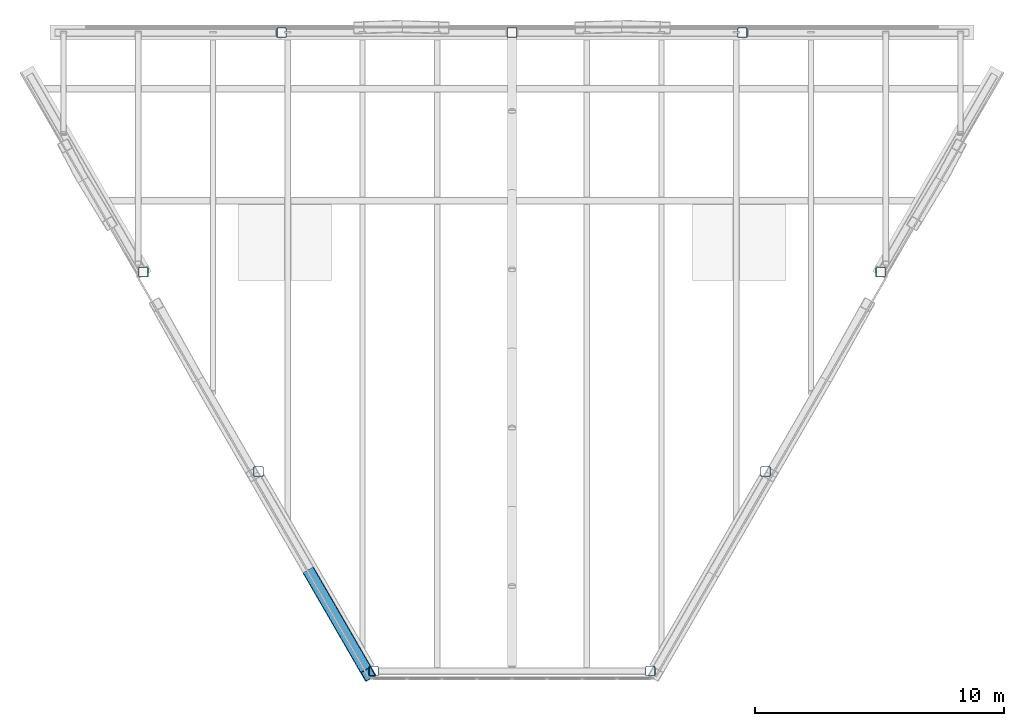
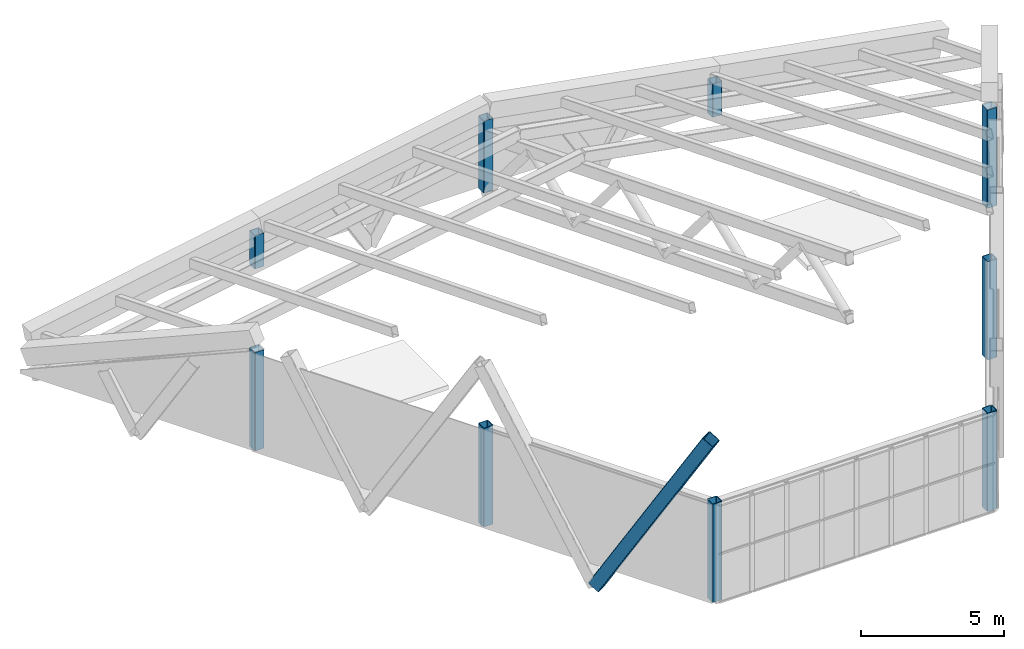
# One storey, part 1 of 6: 9 columns, 1 member.
"""IFC4 building model written with IfcOpenShell, lengths in metres."""

from ifc_helpers import new_model, si_unit, direction, frame, origin, origin_2d, place, context, subcontext, project, spatial, hollow_rectangle, extrude, material, material_profile, profile_set, type_object, element, save


model = new_model("IFC4")

# Units and contexts
model_context = context("Model", 3, precision=1e-05, world=origin(), true_north=direction((0.0, 1.0)))
body_context = subcontext(model_context, "Body", "Model", "MODEL_VIEW")
ifc_project = project(units=[si_unit("LENGTHUNIT", "METRE"), si_unit("AREAUNIT", "SQUARE_METRE"), si_unit("VOLUMEUNIT", "CUBIC_METRE"), si_unit("PLANEANGLEUNIT", "RADIAN"), si_unit("MASSUNIT", "GRAM", prefix="KILO")], contexts=[model_context])

# Site, building, storey
site_placement = place(None, origin())
site = spatial("IfcSite", under=ifc_project, at=site_placement, CompositionType="ELEMENT")
building_placement = place(site_placement, origin())
building = spatial("IfcBuilding", under=site, at=building_placement, Name="Aloe Facet Convention Tower", CompositionType="ELEMENT")
storey_placement = place(building_placement, frame((0.0, 0.0, 293.89990234375)))
storey = spatial("IfcBuildingStorey", under=building, at=storey_placement, Name="C3", CompositionType="ELEMENT", Elevation=293.89990234375)

# Columns
ifc_material_1 = material(Name="Steel S355, bronze oxide finish", Category="steel")
ifc_material_profile_1 = material_profile(ifc_material_1, hollow_rectangle(XDim=0.39990234375, YDim=0.39990234375, WallThickness=0.02490234375, InnerFilletRadius=0.02490234375, OuterFilletRadius=0.050048828125, at=origin_2d()), Name="SHS 400x400x25")
ifc_profile_set_1 = profile_set([ifc_material_profile_1], Name="Steel S355, bronze oxide finish")
column_type = type_object("IfcColumnType", Name="STW-CROWN FRAME POST", PredefinedType="COLUMN", material=ifc_profile_set_1)
column_1_placement = place(storey_placement, frame((89.2431640625, 134.800048828125, 0.0), z_axis=(0.0, 0.0, 1.0), x_axis=(1.0, 0.0, 0.0)))
element("IfcColumn", 1, at=column_1_placement, inside=storey, type_object=column_type, Name="Crown frame post CF-P-N2-C3", PredefinedType="COLUMN", context=body_context, shape_type="SweptSolid", body=[
    extrude(hollow_rectangle(XDim=0.39990234375, YDim=0.39990234375, WallThickness=0.02490234375, InnerFilletRadius=0.02490234375, OuterFilletRadius=0.050048828125, at=origin_2d()), origin(), (0.0, 0.0, 1.0), 1.416015625),
])
column_2_placement = place(storey_placement, frame((80.0, 134.800048828125, 0.0), z_axis=(0.0, 0.0, 1.0), x_axis=(1.0, 0.0, 0.0)))
element("IfcColumn", 2, at=column_2_placement, inside=storey, type_object=column_type, Name="Crown frame post CF-P-N3-C3", PredefinedType="COLUMN", context=body_context, shape_type="SweptSolid", body=[
    extrude(hollow_rectangle(XDim=0.39990234375, YDim=0.39990234375, WallThickness=0.02490234375, InnerFilletRadius=0.02490234375, OuterFilletRadius=0.050048828125, at=origin_2d()), origin(), (0.0, 0.0, 1.0), 3.07958984375),
])
column_3_placement = place(storey_placement, frame((70.7568359375, 134.800048828125, 0.0), z_axis=(0.0, 0.0, 1.0), x_axis=(1.0, 0.0, 0.0)))
element("IfcColumn", 3, at=column_3_placement, inside=storey, type_object=column_type, Name="Crown frame post CF-P-N4-C3", PredefinedType="COLUMN", context=body_context, shape_type="SweptSolid", body=[
    extrude(hollow_rectangle(XDim=0.39990234375, YDim=0.39990234375, WallThickness=0.02490234375, InnerFilletRadius=0.02490234375, OuterFilletRadius=0.050048828125, at=origin_2d()), origin(), (0.0, 0.0, 1.0), 1.416015625),
])
for number, where, z_axis, x_axis, name in (
    (4, (65.20849609375, 125.18994140625, 0.0), (0.0, 0.0, 1.0), (1.0, 0.0, 0.0), "Crown frame post CF-P-WSW2-C3"),
    (5, (69.830078125, 117.185302734375, 0.0), (0.0, 0.0, 1.0), (1.0, 0.0, 0.0), "Crown frame post CF-P-WSW3-C3"),
    (6, (74.45166015625, 109.180419921875, 0.0), (0.0, 0.0, 1.0), (1.0, 0.0, 0.0), "Crown frame post CF-P-WSW4-C3"),
    (7, (85.54833984375, 109.180419921875, 0.0), (0.0, 0.0, 1.0), (1.0, 0.0, 0.0), "Crown frame post CF-P-ESE2-C3"),
    (8, (90.169921875, 117.185302734375, 0.0), (0.0, 0.0, 1.0), (1.0, 0.0, 0.0), "Crown frame post CF-P-ESE3-C3"),
    (9, (94.79150390625, 125.18994140625, 0.0), (0.0, 0.0, 1.0), (1.0, 0.0, 0.0), "Crown frame post CF-P-ESE4-C3"),
):
    element("IfcColumn", number, at=place(storey_placement, frame(where, z_axis=z_axis, x_axis=x_axis)), inside=storey, type_object=column_type, Name=name, PredefinedType="COLUMN", context=body_context, shape_type="SweptSolid", body=[
        extrude(hollow_rectangle(XDim=0.39990234375, YDim=0.39990234375, WallThickness=0.02490234375, InnerFilletRadius=0.02490234375, OuterFilletRadius=0.050048828125, at=origin_2d()), origin(), (0.0, 0.0, 1.0), 4.2001953125),
    ])

# Member
ifc_material_2 = material(Name="Steel S355, bronze oxide finish", Category="steel")
ifc_material_profile_2 = material_profile(ifc_material_2, hollow_rectangle(XDim=0.5, YDim=0.5, WallThickness=0.02490234375, InnerFilletRadius=0.02490234375, OuterFilletRadius=0.050048828125, at=origin_2d()), Name="SHS 500x500x25")
ifc_profile_set_2 = profile_set([ifc_material_profile_2], Name="Steel S355, bronze oxide finish")
member_type = type_object("IfcMemberType", Name="STW-CROWN FRAME BRACE", PredefinedType="BRACE", material=ifc_profile_set_2)
member_placement = place(storey_placement, frame((71.92431640625, 113.057861328125, -0.849853515625), z_axis=(0.254873462398, -0.441457532229, 0.860322477565), x_axis=(0.866027240882, 0.49999681804, 0.0)))
element("IfcMember", 10, at=member_placement, inside=storey, type_object=member_type, Name="Crown frame brace CF-B-B08-N4", PredefinedType="BRACE", context=body_context, shape_type="SweptSolid", body=[
    extrude(hollow_rectangle(XDim=0.5, YDim=0.5, WallThickness=0.02490234375, InnerFilletRadius=0.02490234375, OuterFilletRadius=0.050048828125, at=origin_2d()), origin(), (0.0, 0.0, 1.0), 9.06640625),
])

save(model, "model.ifc")
